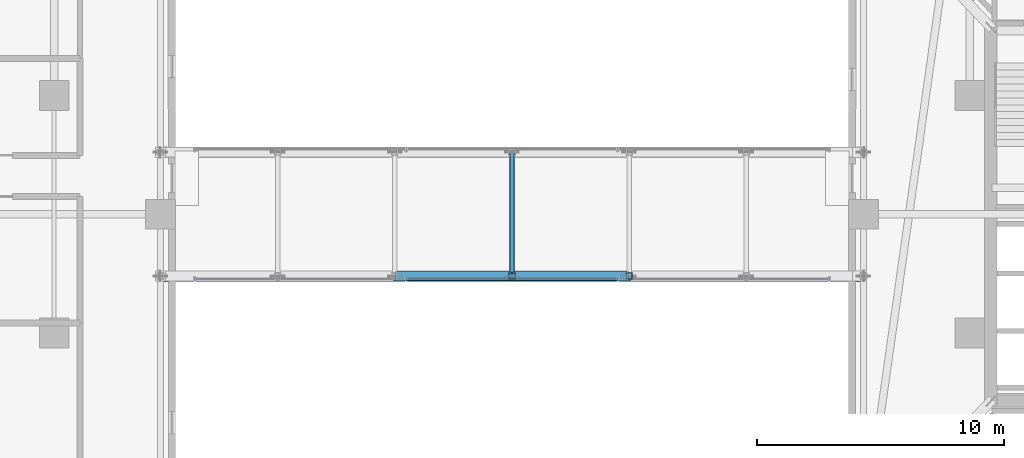
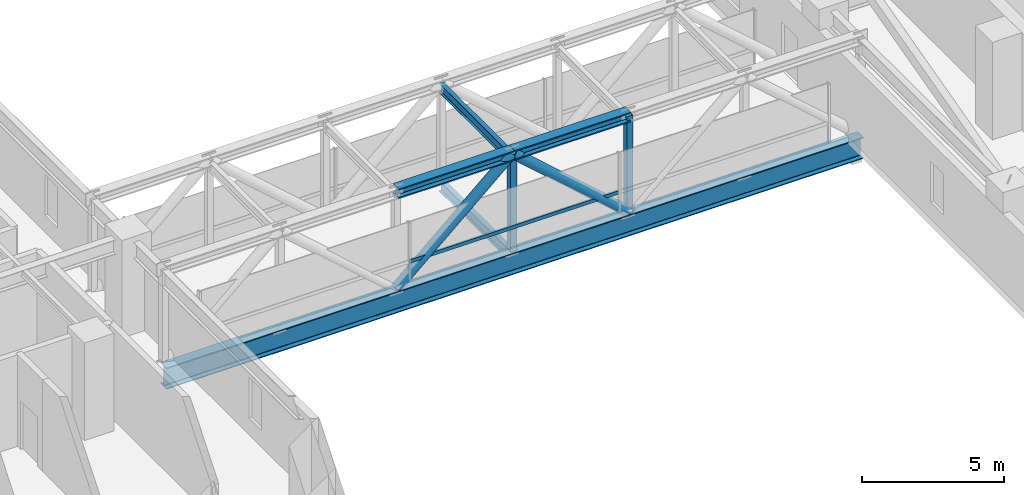
# One storey, part 8 of 45: 7 members, 3 beams, 1 element without a shape of its own.
"""IFC4 building model written with IfcOpenShell, lengths in metres."""

from ifc_helpers import new_model, si_unit, direction, frame, origin, origin_2d, place, context, subcontext, project, spatial, hollow_rectangle, hollow_circle, i_section, extrude, material, material_profile, profile_set, type_object, element, aggregate, save


model = new_model("IFC4")

# Units and contexts
model_context = context("Model", 3, precision=1e-05, world=origin(), true_north=direction((0.0, 1.0)))
body_context = subcontext(model_context, "Body", "Model", "MODEL_VIEW")
ifc_project = project(units=[si_unit("LENGTHUNIT", "METRE"), si_unit("AREAUNIT", "SQUARE_METRE"), si_unit("VOLUMEUNIT", "CUBIC_METRE"), si_unit("PLANEANGLEUNIT", "RADIAN"), si_unit("MASSUNIT", "GRAM", prefix="KILO")], contexts=[model_context])

# Site, building, storey
site_placement = place(None, origin())
site = spatial("IfcSite", under=ifc_project, at=site_placement, CompositionType="ELEMENT")
building_placement = place(site_placement, origin())
building = spatial("IfcBuilding", under=site, at=building_placement, Name="Thornwick Lancets Civic Towers", CompositionType="ELEMENT")
storey_placement = place(building_placement, frame((0.0, 0.0, 141.300048828125)))
storey = spatial("IfcBuildingStorey", under=building, at=storey_placement, Name="L37", CompositionType="ELEMENT", Elevation=141.300048828125)

# Beams
ifc_material_1 = material(Name="Steel S355JR", Category="steel")
ifc_material_profile_1 = material_profile(ifc_material_1, i_section(OverallWidth=0.179443359375, OverallDepth=0.412841796875, WebThickness=0.009521484375, FlangeThickness=0.01611328125, FilletRadius=0.01025390625, at=origin_2d()), Name="UKB 406x178x74")
ifc_profile_set_1 = profile_set([ifc_material_profile_1], Name="Steel S355JR")
beam_type_1 = type_object("IfcBeamType", Name="BM_JOIST_406_74", PredefinedType="JOIST", material=ifc_profile_set_1)
beam_1_placement = place(storey_placement, frame((57.0, 24.5, 3.753662109375), z_axis=(0.0, 1.0, 0.0), x_axis=(-1.0, 0.0, 0.0)))
element("IfcBeam", 1, at=beam_1_placement, inside=storey, type_object=beam_type_1, Name="BM-L37-SB-RBM-3", PredefinedType="JOIST", context=body_context, shape_type="SweptSolid", body=[
    extrude(i_section(OverallWidth=0.179443359375, OverallDepth=0.412841796875, WebThickness=0.009521484375, FlangeThickness=0.01611328125, FilletRadius=0.01025390625, at=origin_2d()), origin(), (0.0, 0.0, 1.0), 5.0),
])
ifc_material_profile_2 = material_profile(ifc_material_1, i_section(OverallWidth=0.19189453125, OverallDepth=0.46337890625, WebThickness=0.010498046875, FlangeThickness=0.017578125, FilletRadius=0.01025390625, at=origin_2d()), Name="UKB 457x191x89")
ifc_profile_set_2 = profile_set([ifc_material_profile_2], Name="Steel S355JR")
beam_type_2 = type_object("IfcBeamType", Name="BM_JOIST_457_89", PredefinedType="JOIST", material=ifc_profile_set_2)
beam_2_placement = place(storey_placement, frame((57.0, 24.5, -0.45166015625), z_axis=(0.0, 1.0, 0.0), x_axis=(-1.0, 0.0, 0.0)))
element("IfcBeam", 2, at=beam_2_placement, inside=storey, type_object=beam_type_2, Name="BM-L37-SB-XBM-3", PredefinedType="JOIST", context=body_context, shape_type="SweptSolid", body=[
    extrude(i_section(OverallWidth=0.19189453125, OverallDepth=0.46337890625, WebThickness=0.010498046875, FlangeThickness=0.017578125, FilletRadius=0.01025390625, at=origin_2d()), origin(), (0.0, 0.0, 1.0), 5.0),
])
ifc_material_2 = material(Name="Steel S460M", Category="steel")
ifc_material_profile_3 = material_profile(ifc_material_2, i_section(OverallWidth=0.42041015625, OverallDepth=0.9208984375, WebThickness=0.021484375, FlangeThickness=0.03662109375, FilletRadius=0.024169921875, at=origin_2d()), Name="UKB 914x419x388")
ifc_profile_set_3 = profile_set([ifc_material_profile_3], Name="Steel S460M")
beam_type_3 = type_object("IfcBeamType", Name="BM_TR_914_388", PredefinedType="BEAM", material=ifc_profile_set_3)
beam_3_placement = place(storey_placement, frame((42.800048828125, 24.5, -0.6806640625), z_axis=(1.0, 0.0, 0.0), x_axis=(0.0, 1.0, 0.0)))
element("IfcBeam", 3, at=beam_3_placement, inside=storey, type_object=beam_type_3, Name="BM-L37-SB-MAIN-1", PredefinedType="BEAM", context=body_context, shape_type="SweptSolid", body=[
    extrude(i_section(OverallWidth=0.42041015625, OverallDepth=0.9208984375, WebThickness=0.021484375, FlangeThickness=0.03662109375, FilletRadius=0.024169921875, at=origin_2d()), origin(), (0.0, 0.0, 1.0), 28.39990234375),
])

# Curtain wall, member
ifc_material_3 = material(Name="Skybridge acoustic laminated-glass curtain wall", Category="glass")
curtain_wall_type = type_object("IfcCurtainWallType", Name="CW_SYS_06", PredefinedType="NOTDEFINED", material=ifc_material_3)
curtain_wall_placement = place(storey_placement, origin())
curtain_wall = element("IfcCurtainWall", 4, at=curtain_wall_placement, inside=storey, type_object=curtain_wall_type, Name="L37 Curtain Wall CW-L37-SKYBRIDGE-S", PredefinedType="NOTDEFINED")
ifc_material_4 = material(Name="Thermally broken bronze aluminium S355", Category="steel")
ifc_material_profile_4 = material_profile(ifc_material_4, hollow_rectangle(XDim=0.074951171875, YDim=0.14990234375, WallThickness=0.0048828125, at=origin_2d()), Name="RHS 150x75x5")
ifc_profile_set_4 = profile_set([ifc_material_profile_4], Name="Thermally broken bronze aluminium S355")
member_type_1 = type_object("IfcMemberType", Name="CW_TRN_150", PredefinedType="USERDEFINED", material=ifc_profile_set_4)
member_placement = place(storey_placement, frame((52.74658203125, 24.3798828125, 0.849853515625), z_axis=(1.0, 0.0, 0.0), x_axis=(0.0, 1.0, 0.0)))
member = element("IfcMember", 5, at=member_placement, type_object=member_type_1, Name="CW-L37-SKYBRIDGE-S Transom 1", ObjectType="TRANSOM", PredefinedType="USERDEFINED", context=body_context, shape_type="SweptSolid", body=[
    extrude(hollow_rectangle(XDim=0.074951171875, YDim=0.14990234375, WallThickness=0.0048828125, at=origin_2d()), origin(), (0.0, 0.0, 1.0), 8.5068359375),
])
aggregate(curtain_wall, [member])

# Members
ifc_material_profile_5 = material_profile(ifc_material_2, i_section(OverallWidth=0.406982421875, OverallDepth=0.4189453125, WebThickness=0.030517578125, FlangeThickness=0.04931640625, FilletRadius=0.01513671875, at=origin_2d()), Name="UKC 356x406x393")
ifc_profile_set_5 = profile_set([ifc_material_profile_5], Name="Steel S460M")
member_type_2 = type_object("IfcMemberType", Name="MEM_BRG_CHORD_393", PredefinedType="CHORD", material=ifc_profile_set_5)
for number, where, z_axis, x_axis, name in (
    (6, (52.2666015625, 24.5, 3.9599609375), (1.0, 0.0, 0.0), (0.0, 1.0, 0.0), "L37 Skybridge Top Chord 1-2"),
    (7, (57.0, 24.5, 3.9599609375), (1.0, 0.0, 0.0), (0.0, 1.0, 0.0), "L37 Skybridge Top Chord 1-3"),
):
    element("IfcMember", number, at=place(storey_placement, frame(where, z_axis=z_axis, x_axis=x_axis)), inside=storey, type_object=member_type_2, Name=name, PredefinedType="CHORD", context=body_context, shape_type="SweptSolid", body=[
        extrude(i_section(OverallWidth=0.406982421875, OverallDepth=0.4189453125, WebThickness=0.030517578125, FlangeThickness=0.04931640625, FilletRadius=0.01513671875, at=origin_2d()), origin(), (0.0, 0.0, 1.0), 4.7333984375),
    ])
ifc_material_profile_6 = material_profile(ifc_material_2, hollow_circle(Radius=0.203125, WallThickness=0.02001953125, at=origin_2d()), Name="CHS 406.4x20")
ifc_profile_set_6 = profile_set([ifc_material_profile_6], Name="Steel S460M")
member_type_3 = type_object("IfcMemberType", Name="MEM_BRG_WEB_CHS406", PredefinedType="BRACE", material=ifc_profile_set_6)
for number, where, z_axis, x_axis, name in (
    (8, (52.2666015625, 24.5, -0.219970703125), (0.749570397513, 0.0, 0.661924632547), (0.0, 1.0, 0.0), "L37 Skybridge Truss Diagonal 1-2"),
    (9, (57.0, 24.5, 3.9599609375), (0.749570397513, 0.0, -0.661924632547), (0.0, 1.0, 0.0), "L37 Skybridge Truss Diagonal 1-3"),
):
    element("IfcMember", number, at=place(storey_placement, frame(where, z_axis=z_axis, x_axis=x_axis)), inside=storey, type_object=member_type_3, Name=name, PredefinedType="BRACE", context=body_context, shape_type="SweptSolid", body=[
        extrude(hollow_circle(Radius=0.203125, WallThickness=0.02001953125, at=origin_2d()), origin(), (0.0, 0.0, 1.0), 6.314697265625),
    ])
ifc_material_profile_7 = material_profile(ifc_material_2, hollow_rectangle(XDim=0.25, YDim=0.25, WallThickness=0.01611328125, at=origin_2d()), Name="SHS 250x250x16")
ifc_profile_set_7 = profile_set([ifc_material_profile_7], Name="Steel S460M")
member_type_4 = type_object("IfcMemberType", Name="MEM_BRG_WEB_SHS250", PredefinedType="BRACE", material=ifc_profile_set_7)
for number, where, z_axis, x_axis, name in (
    (10, (57.0, 24.5, -0.219970703125), (0.0, 0.0, 1.0), (1.0, 0.0, 0.0), "L37 Skybridge Truss Post 1-3"),
    (11, (61.7333984375, 24.5, -0.219970703125), (0.0, 0.0, 1.0), (1.0, 0.0, 0.0), "L37 Skybridge Truss Post 1-4"),
):
    element("IfcMember", number, at=place(storey_placement, frame(where, z_axis=z_axis, x_axis=x_axis)), inside=storey, type_object=member_type_4, Name=name, PredefinedType="BRACE", context=body_context, shape_type="SweptSolid", body=[
        extrude(hollow_rectangle(XDim=0.25, YDim=0.25, WallThickness=0.01611328125, at=origin_2d()), origin(), (0.0, 0.0, 1.0), 4.179931640625),
    ])

save(model, "model.ifc")
